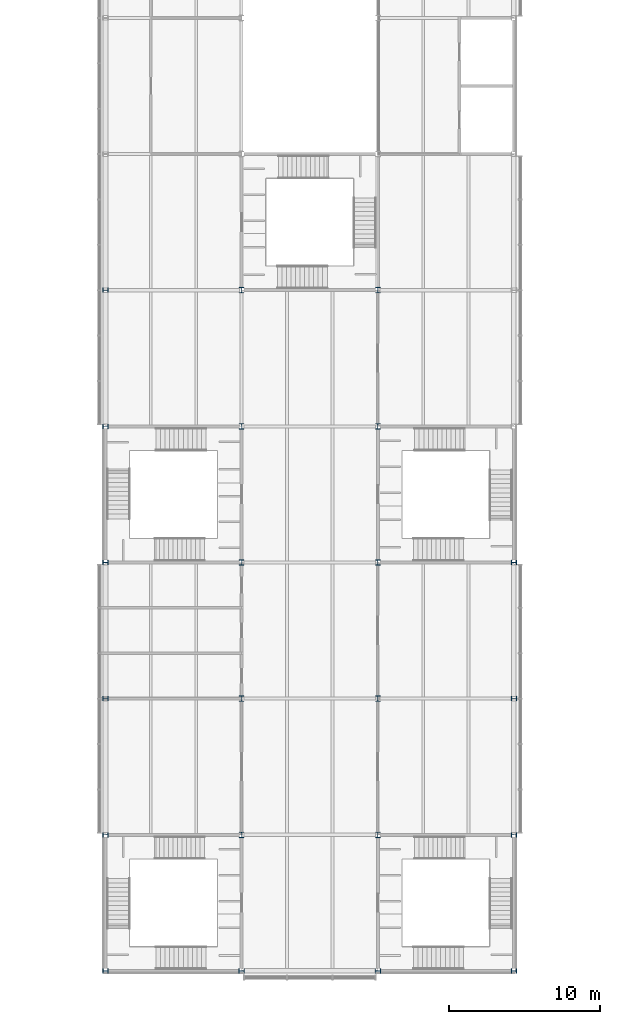
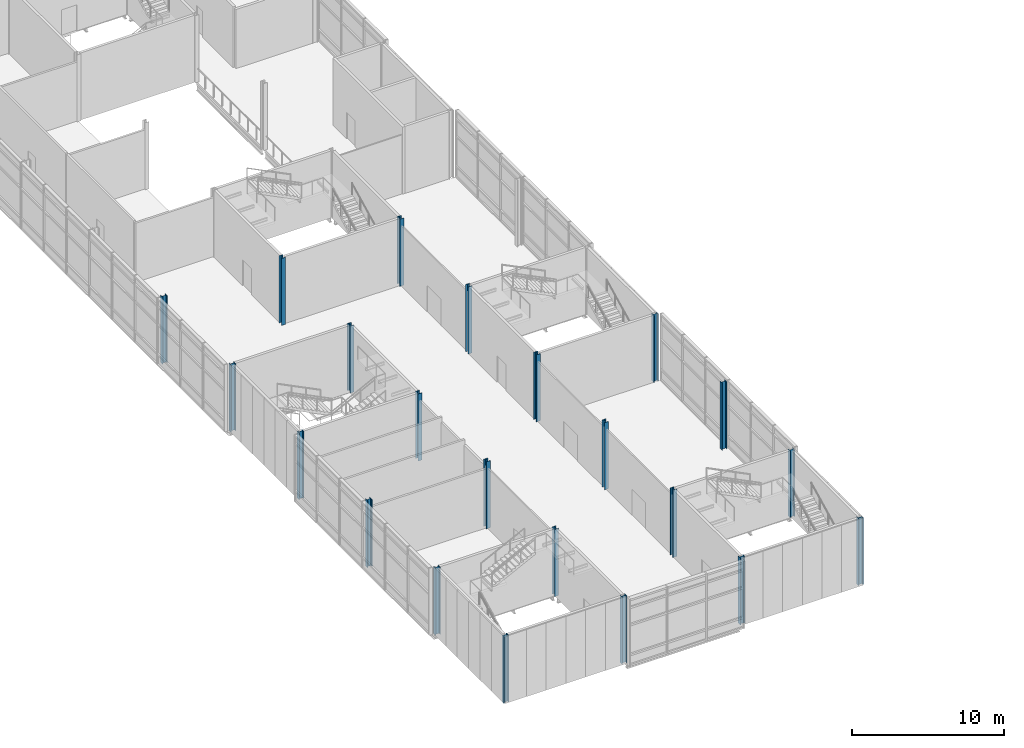
# One storey, part 1 of 53: 22 columns.
"""IFC4 building model written with IfcOpenShell, lengths in metres."""

from ifc_helpers import new_model, si_unit, direction, frame, origin, origin_2d, place, context, subcontext, project, spatial, i_section, extrude, material, material_profile, profile_set, type_object, element, save


model = new_model("IFC4")

# Units and contexts
model_context = context("Model", 3, precision=1e-05, world=origin(), true_north=direction((0.0, 1.0)))
body_context = subcontext(model_context, "Body", "Model", "MODEL_VIEW")
ifc_project = project(units=[si_unit("LENGTHUNIT", "METRE"), si_unit("AREAUNIT", "SQUARE_METRE"), si_unit("VOLUMEUNIT", "CUBIC_METRE"), si_unit("PLANEANGLEUNIT", "RADIAN"), si_unit("MASSUNIT", "GRAM", prefix="KILO")], contexts=[model_context])

# Site, building, storey
site_placement = place(None, origin())
site = spatial("IfcSite", under=ifc_project, at=site_placement, CompositionType="ELEMENT")
building_placement = place(site_placement, origin())
building = spatial("IfcBuilding", under=site, at=building_placement, Name="Azimuth Sports and Learning Centre", CompositionType="ELEMENT")
storey_placement = place(building_placement, frame((0.0, 0.0, 10.800048828125)))
storey = spatial("IfcBuildingStorey", under=building, at=storey_placement, Name="L02", CompositionType="ELEMENT", Elevation=10.800048828125)

# Columns
ifc_material = material(Name="Steel S355", Category="steel")
ifc_material_profile = material_profile(ifc_material, i_section(OverallWidth=0.300048828125, OverallDepth=0.360107421875, WebThickness=0.012451171875, FlangeThickness=0.0224609375, FilletRadius=0.027099609375, at=origin_2d()), Name="HEB 360")
ifc_profile_set = profile_set([ifc_material_profile], Name="Steel S355")
column_type = type_object("IfcColumnType", Name="Column HEB 360", PredefinedType="COLUMN", material=ifc_profile_set)
for number, where, z_axis, x_axis, name in (
    (1, (72.0, 0.0, 0.0), (0.0, 0.0, 1.0), (0.0, 1.0, 0.0), "Column 9A L02"),
    (2, (81.0, 0.0, 0.0), (0.0, 0.0, 1.0), (0.0, 1.0, 0.0), "Column 10A L02"),
    (3, (90.0, 0.0, 0.0), (0.0, 0.0, 1.0), (0.0, 1.0, 0.0), "Column 11A L02"),
    (4, (99.0, 0.0, 0.0), (0.0, 0.0, 1.0), (0.0, 1.0, 0.0), "Column 12A L02"),
    (5, (72.0, 9.0, 0.0), (0.0, 0.0, 1.0), (0.0, 1.0, 0.0), "Column 9B L02"),
    (6, (81.0, 9.0, 0.0), (0.0, 0.0, 1.0), (1.0, 0.0, 0.0), "Column 10B L02"),
    (7, (90.0, 9.0, 0.0), (0.0, 0.0, 1.0), (1.0, 0.0, 0.0), "Column 11B L02"),
    (8, (99.0, 9.0, 0.0), (0.0, 0.0, 1.0), (0.0, 1.0, 0.0), "Column 12B L02"),
    (9, (72.0, 18.0, 0.0), (0.0, 0.0, 1.0), (0.0, 1.0, 0.0), "Column 9C L02"),
    (10, (81.0, 18.0, 0.0), (0.0, 0.0, 1.0), (1.0, 0.0, 0.0), "Column 10C L02"),
    (11, (90.0, 18.0, 0.0), (0.0, 0.0, 1.0), (1.0, 0.0, 0.0), "Column 11C L02"),
    (12, (99.0, 18.0, 0.0), (0.0, 0.0, 1.0), (0.0, 1.0, 0.0), "Column 12C L02"),
    (13, (72.0, 27.0, 0.0), (0.0, 0.0, 1.0), (0.0, 1.0, 0.0), "Column 9D L02"),
    (14, (81.0, 27.0, 0.0), (0.0, 0.0, 1.0), (1.0, 0.0, 0.0), "Column 10D L02"),
    (15, (90.0, 27.0, 0.0), (0.0, 0.0, 1.0), (1.0, 0.0, 0.0), "Column 11D L02"),
    (16, (99.0, 27.0, 0.0), (0.0, 0.0, 1.0), (0.0, 1.0, 0.0), "Column 12D L02"),
    (17, (72.0, 36.0, 0.0), (0.0, 0.0, 1.0), (0.0, 1.0, 0.0), "Column 9E L02"),
    (18, (81.0, 36.0, 0.0), (0.0, 0.0, 1.0), (1.0, 0.0, 0.0), "Column 10E L02"),
    (19, (90.0, 36.0, 0.0), (0.0, 0.0, 1.0), (1.0, 0.0, 0.0), "Column 11E L02"),
    (20, (72.0, 45.0, 0.0), (0.0, 0.0, 1.0), (0.0, 1.0, 0.0), "Column 9F L02"),
    (21, (81.0, 45.0, 0.0), (0.0, 0.0, 1.0), (1.0, 0.0, 0.0), "Column 10F L02"),
    (22, (90.0, 45.0, 0.0), (0.0, 0.0, 1.0), (1.0, 0.0, 0.0), "Column 11F L02"),
):
    element("IfcColumn", number, at=place(storey_placement, frame(where, z_axis=z_axis, x_axis=x_axis)), inside=storey, type_object=column_type, Name=name, PredefinedType="COLUMN", context=body_context, shape_type="SweptSolid", body=[
        extrude(i_section(OverallWidth=0.300048828125, OverallDepth=0.360107421875, WebThickness=0.012451171875, FlangeThickness=0.0224609375, FilletRadius=0.027099609375, at=origin_2d()), origin(), (0.0, 0.0, 1.0), 5.39990234375),
    ])

save(model, "model.ifc")
